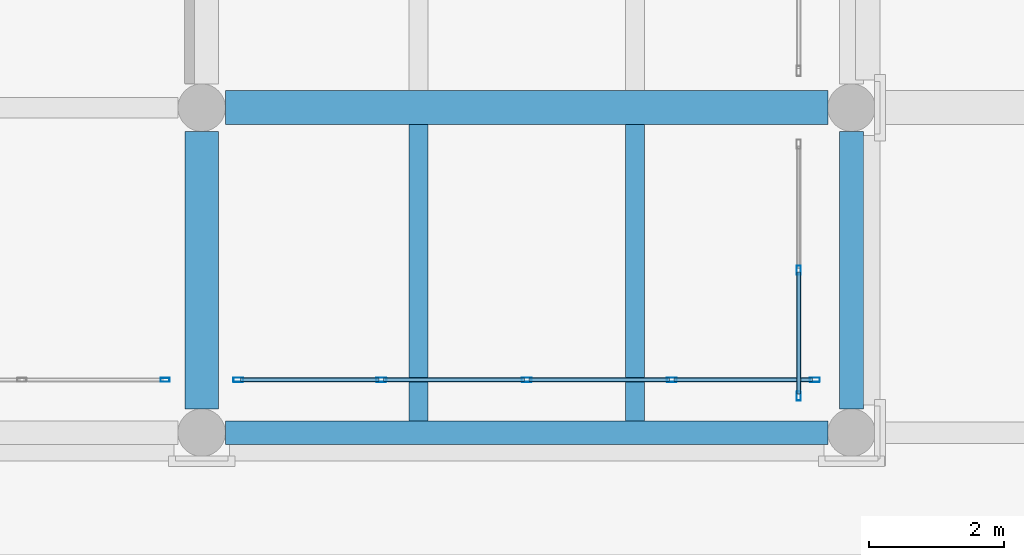
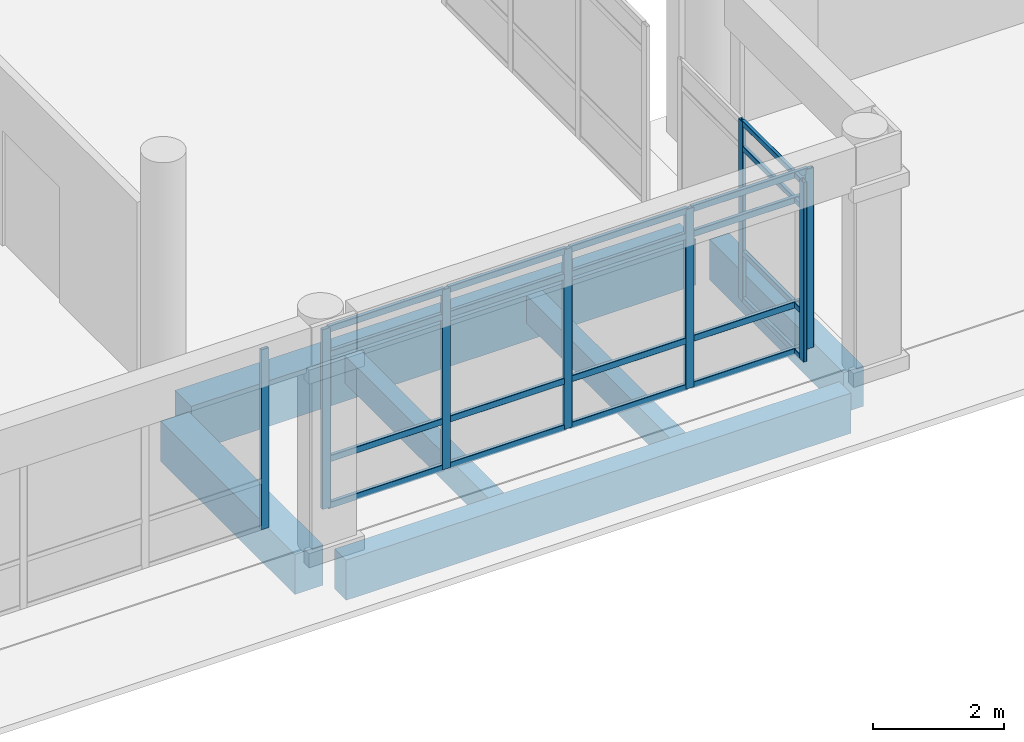
# One storey, part 36 of 196: 28 members, 6 beams, 3 elements without a shape of their own.
"""IFC4 building model written with IfcOpenShell, lengths in metres."""

from ifc_helpers import new_model, si_unit, direction, frame, origin, origin_2d, place, context, subcontext, project, spatial, rectangle, hollow_rectangle, extrude, material, layer, layer_set, material_profile, profile_set, type_object, element, aggregate, save


model = new_model("IFC4")

# Units and contexts
model_context = context("Model", 3, precision=1e-05, world=origin(), true_north=direction((0.0, 1.0)))
body_context = subcontext(model_context, "Body", "Model", "MODEL_VIEW")
ifc_project = project(units=[si_unit("LENGTHUNIT", "METRE"), si_unit("AREAUNIT", "SQUARE_METRE"), si_unit("VOLUMEUNIT", "CUBIC_METRE"), si_unit("PLANEANGLEUNIT", "RADIAN"), si_unit("MASSUNIT", "GRAM", prefix="KILO")], contexts=[model_context])

# Site, building, storey
site_placement = place(None, origin())
site = spatial("IfcSite", under=ifc_project, at=site_placement, CompositionType="ELEMENT")
building_placement = place(site_placement, origin())
building = spatial("IfcBuilding", under=site, at=building_placement, Name="Asteropetra Specialist Clinic", CompositionType="ELEMENT")
storey_placement = place(building_placement, origin())
storey = spatial("IfcBuildingStorey", under=building, at=storey_placement, Name="L00", CompositionType="ELEMENT", Elevation=0.0)

# Beams
ifc_material_1 = material(Name="Concrete C35/45", Category="concrete")
ifc_material_profile_1 = material_profile(ifc_material_1, rectangle(XDim=0.5, YDim=0.75, at=origin_2d()), Name="RCB 500x750")
ifc_profile_set_1 = profile_set([ifc_material_profile_1], Name="Concrete C35/45")
beam_type_1 = type_object("IfcBeamType", Name="BM-RC500x750", PredefinedType="BEAM", material=ifc_profile_set_1)
beam_1_placement = place(storey_placement, frame((48.0, 0.35009765625, -0.715087890625), z_axis=(0.0, 1.0, 0.0), x_axis=(-1.0, 0.0, 0.0)))
element("IfcBeam", 1, at=beam_1_placement, inside=storey, type_object=beam_type_1, Name="Beam BBM04-0036", PredefinedType="BEAM", context=body_context, shape_type="SweptSolid", body=[
    extrude(rectangle(XDim=0.5, YDim=0.75, at=origin_2d()), origin(), (0.0, 0.0, 1.0), 4.099853515625),
])
ifc_material_2 = material(Name="Concrete C35/45", Category="concrete")
ifc_material_profile_2 = material_profile(ifc_material_2, rectangle(XDim=0.5, YDim=0.85009765625, at=origin_2d()), Name="RCB 500x850")
ifc_profile_set_2 = profile_set([ifc_material_profile_2], Name="Concrete C35/45")
beam_type_2 = type_object("IfcBeamType", Name="BM-RC500x850", PredefinedType="BEAM", material=ifc_profile_set_2)
beam_2_placement = place(storey_placement, frame((48.35009765625, 4.800048828125, -0.764892578125), z_axis=(1.0, 0.0, 0.0), x_axis=(0.0, 1.0, 0.0)))
element("IfcBeam", 2, at=beam_2_placement, inside=storey, type_object=beam_type_2, Name="Beam BBM03-0012", PredefinedType="BEAM", context=body_context, shape_type="SweptSolid", body=[
    extrude(rectangle(XDim=0.5, YDim=0.85009765625, at=origin_2d()), origin(), (0.0, 0.0, 1.0), 8.89990234375),
])

# Curtain wall, member
ifc_material_3 = material(Name="Aluminium and low-E glass", Category="aluminium")
ifc_layer_1 = layer(ifc_material_3, 0.14990234375)
ifc_layer_set_1 = layer_set([ifc_layer_1], Name="Aluminium and low-E glass")
curtain_wall_type_1 = type_object("IfcCurtainWallType", Name="CW-SYS-11", PredefinedType="USERDEFINED", material=ifc_layer_set_1)
curtain_wall_1_placement = place(storey_placement, origin())
curtain_wall_1 = element("IfcCurtainWall", 3, at=curtain_wall_1_placement, inside=storey, type_object=curtain_wall_type_1, Name="Curtain Wall CW-125", ObjectType="STICK GLAZED COLONNADE", PredefinedType="USERDEFINED")
ifc_material_4 = material(Name="Aluminium 6063-T6", Category="aluminium")
ifc_material_profile_3 = material_profile(ifc_material_4, hollow_rectangle(XDim=0.06005859375, YDim=0.135009765625, WallThickness=0.00341796875, InnerFilletRadius=0.00341796875, OuterFilletRadius=0.007080078125, at=origin_2d()), Name="MUL 135x60x3.5")
ifc_profile_set_3 = profile_set([ifc_material_profile_3], Name="Aluminium 6063-T6")
member_type_1 = type_object("IfcMemberType", Name="CWM-135x60", PredefinedType="MULLION", material=ifc_profile_set_3)
member_1_placement = place(storey_placement, frame((47.4599609375, 0.780029296875, 0.0), z_axis=(0.0, 0.0, 1.0), x_axis=(0.0, 1.0, 0.0)))
member_1 = element("IfcMember", 4, at=member_1_placement, type_object=member_type_1, Name="CW-125 mullion 5", PredefinedType="MULLION", context=body_context, shape_type="SweptSolid", body=[
    extrude(hollow_rectangle(XDim=0.06005859375, YDim=0.135009765625, WallThickness=0.00341796875, InnerFilletRadius=0.00341796875, OuterFilletRadius=0.007080078125, at=origin_2d()), origin(), (0.0, 0.0, 1.0), 3.35009765625),
])
aggregate(curtain_wall_1, [member_1])

# Curtain wall, members
ifc_material_5 = material(Name="Aluminium and low-E glass", Category="aluminium")
ifc_layer_2 = layer(ifc_material_5, 0.179931640625)
ifc_layer_set_2 = layer_set([ifc_layer_2], Name="Aluminium and low-E glass")
curtain_wall_type_2 = type_object("IfcCurtainWallType", Name="CW-SYS-10", PredefinedType="USERDEFINED", material=ifc_layer_set_2)
curtain_wall_2_placement = place(storey_placement, origin())
curtain_wall_2 = element("IfcCurtainWall", 5, at=curtain_wall_2_placement, inside=storey, type_object=curtain_wall_type_2, Name="Curtain Wall CW-128", ObjectType="STICK GLAZED COLONNADE", PredefinedType="USERDEFINED")
member_2_placement = place(storey_placement, frame((56.820068359375, 0.5400390625, 0.0), z_axis=(0.0, 0.0, 1.0), x_axis=(-1.0, 0.0, 0.0)))
member_2 = element("IfcMember", 6, at=member_2_placement, type_object=member_type_1, Name="CW-128 mullion 1", PredefinedType="MULLION", context=body_context, shape_type="SweptSolid", body=[
    extrude(hollow_rectangle(XDim=0.06005859375, YDim=0.135009765625, WallThickness=0.00341796875, InnerFilletRadius=0.00341796875, OuterFilletRadius=0.007080078125, at=origin_2d()), origin(), (0.0, 0.0, 1.0), 3.35009765625),
])
member_3_placement = place(storey_placement, frame((56.820068359375, 2.39990234375, 0.0), z_axis=(0.0, 0.0, 1.0), x_axis=(-1.0, 0.0, 0.0)))
member_3 = element("IfcMember", 7, at=member_3_placement, type_object=member_type_1, Name="CW-128 mullion 2", PredefinedType="MULLION", context=body_context, shape_type="SweptSolid", body=[
    extrude(hollow_rectangle(XDim=0.06005859375, YDim=0.135009765625, WallThickness=0.00341796875, InnerFilletRadius=0.00341796875, OuterFilletRadius=0.007080078125, at=origin_2d()), origin(), (0.0, 0.0, 1.0), 3.35009765625),
])

ifc_material_6 = material(Name="Aluminium and low-E glass", Category="aluminium")
ifc_layer_3 = layer(ifc_material_6, 0.135009765625)
ifc_layer_set_3 = layer_set([ifc_layer_3], Name="Aluminium and low-E glass")
curtain_wall_type_3 = type_object("IfcCurtainWallType", Name="CW-SYS-09", PredefinedType="USERDEFINED", material=ifc_layer_set_3)
curtain_wall_3_placement = place(storey_placement, origin())
curtain_wall_3 = element("IfcCurtainWall", 8, at=curtain_wall_3_placement, inside=storey, type_object=curtain_wall_type_3, Name="Curtain Wall CW-127", ObjectType="STICK GLAZED COLONNADE", PredefinedType="USERDEFINED")
ifc_material_7 = material(Name="Aluminium 6063-T6", Category="aluminium")
ifc_material_profile_4 = material_profile(ifc_material_7, hollow_rectangle(XDim=0.06494140625, YDim=0.14990234375, WallThickness=0.00390625, InnerFilletRadius=0.00390625, OuterFilletRadius=0.008056640625, at=origin_2d()), Name="MUL 150x65x4.0")
ifc_profile_set_4 = profile_set([ifc_material_profile_4], Name="Aluminium 6063-T6")
member_type_2 = type_object("IfcMemberType", Name="CWM-150x65", PredefinedType="MULLION", material=ifc_profile_set_4)
member_4_placement = place(storey_placement, frame((48.54248046875, 0.780029296875, 0.0), z_axis=(0.0, 0.0, 1.0), x_axis=(0.0, 1.0, 0.0)))
member_4 = element("IfcMember", 9, at=member_4_placement, type_object=member_type_2, Name="CW-127 mullion 1", PredefinedType="MULLION", context=body_context, shape_type="SweptSolid", body=[
    extrude(hollow_rectangle(XDim=0.06494140625, YDim=0.14990234375, WallThickness=0.00390625, InnerFilletRadius=0.00390625, OuterFilletRadius=0.008056640625, at=origin_2d()), origin(), (0.0, 0.0, 1.0), 3.35009765625),
])
member_5_placement = place(storey_placement, frame((50.655029296875, 0.780029296875, 0.0), z_axis=(0.0, 0.0, 1.0), x_axis=(0.0, 1.0, 0.0)))
member_5 = element("IfcMember", 10, at=member_5_placement, type_object=member_type_2, Name="CW-127 mullion 2", PredefinedType="MULLION", context=body_context, shape_type="SweptSolid", body=[
    extrude(hollow_rectangle(XDim=0.06494140625, YDim=0.14990234375, WallThickness=0.00390625, InnerFilletRadius=0.00390625, OuterFilletRadius=0.008056640625, at=origin_2d()), origin(), (0.0, 0.0, 1.0), 3.35009765625),
])
member_6_placement = place(storey_placement, frame((52.800048828125, 0.780029296875, 0.0), z_axis=(0.0, 0.0, 1.0), x_axis=(0.0, 1.0, 0.0)))
member_6 = element("IfcMember", 11, at=member_6_placement, type_object=member_type_2, Name="CW-127 mullion 3", PredefinedType="MULLION", context=body_context, shape_type="SweptSolid", body=[
    extrude(hollow_rectangle(XDim=0.06494140625, YDim=0.14990234375, WallThickness=0.00390625, InnerFilletRadius=0.00390625, OuterFilletRadius=0.008056640625, at=origin_2d()), origin(), (0.0, 0.0, 1.0), 3.35009765625),
])
member_7_placement = place(storey_placement, frame((54.945068359375, 0.780029296875, 0.0), z_axis=(0.0, 0.0, 1.0), x_axis=(0.0, 1.0, 0.0)))
member_7 = element("IfcMember", 12, at=member_7_placement, type_object=member_type_2, Name="CW-127 mullion 4", PredefinedType="MULLION", context=body_context, shape_type="SweptSolid", body=[
    extrude(hollow_rectangle(XDim=0.06494140625, YDim=0.14990234375, WallThickness=0.00390625, InnerFilletRadius=0.00390625, OuterFilletRadius=0.008056640625, at=origin_2d()), origin(), (0.0, 0.0, 1.0), 3.35009765625),
])
member_8_placement = place(storey_placement, frame((57.0576171875, 0.780029296875, 0.0), z_axis=(0.0, 0.0, 1.0), x_axis=(0.0, 1.0, 0.0)))
member_8 = element("IfcMember", 13, at=member_8_placement, type_object=member_type_2, Name="CW-127 mullion 5", PredefinedType="MULLION", context=body_context, shape_type="SweptSolid", body=[
    extrude(hollow_rectangle(XDim=0.06494140625, YDim=0.14990234375, WallThickness=0.00390625, InnerFilletRadius=0.00390625, OuterFilletRadius=0.008056640625, at=origin_2d()), origin(), (0.0, 0.0, 1.0), 3.35009765625),
])

# Member
ifc_material_8 = material(Name="Aluminium 6063-T6", Category="aluminium")
ifc_material_profile_5 = material_profile(ifc_material_8, hollow_rectangle(XDim=0.06005859375, YDim=0.10009765625, WallThickness=0.00341796875, InnerFilletRadius=0.00341796875, OuterFilletRadius=0.007080078125, at=origin_2d()), Name="TRN 100x60x3.5")
ifc_profile_set_5 = profile_set([ifc_material_profile_5], Name="Aluminium 6063-T6")
member_type_3 = type_object("IfcMemberType", Name="CWT-100x60", PredefinedType="USERDEFINED", material=ifc_profile_set_5)
member_9_placement = place(storey_placement, frame((56.820068359375, 0.570068359375, 0.030029296875), z_axis=(0.0, 1.0, 0.0), x_axis=(-1.0, 0.0, 0.0)))
member_9 = element("IfcMember", 14, at=member_9_placement, type_object=member_type_3, Name="CW-128 transom 1.1", ObjectType="TRANSOM", PredefinedType="USERDEFINED", context=body_context, shape_type="SweptSolid", body=[
    extrude(hollow_rectangle(XDim=0.06005859375, YDim=0.10009765625, WallThickness=0.00341796875, InnerFilletRadius=0.00341796875, OuterFilletRadius=0.007080078125, at=origin_2d()), origin(), (0.0, 0.0, 1.0), 1.800048828125),
])

member_10_placement = place(storey_placement, frame((56.820068359375, 0.570068359375, 0.89990234375), z_axis=(0.0, 1.0, 0.0), x_axis=(-1.0, 0.0, 0.0)))
member_10 = element("IfcMember", 15, at=member_10_placement, type_object=member_type_3, Name="CW-128 transom 1.2", ObjectType="TRANSOM", PredefinedType="USERDEFINED", context=body_context, shape_type="SweptSolid", body=[
    extrude(hollow_rectangle(XDim=0.06005859375, YDim=0.10009765625, WallThickness=0.00341796875, InnerFilletRadius=0.00341796875, OuterFilletRadius=0.007080078125, at=origin_2d()), origin(), (0.0, 0.0, 1.0), 1.800048828125),
])

member_11_placement = place(storey_placement, frame((56.820068359375, 0.570068359375, 2.85009765625), z_axis=(0.0, 1.0, 0.0), x_axis=(-1.0, 0.0, 0.0)))
member_11 = element("IfcMember", 16, at=member_11_placement, type_object=member_type_3, Name="CW-128 transom 1.3", ObjectType="TRANSOM", PredefinedType="USERDEFINED", context=body_context, shape_type="SweptSolid", body=[
    extrude(hollow_rectangle(XDim=0.06005859375, YDim=0.10009765625, WallThickness=0.00341796875, InnerFilletRadius=0.00341796875, OuterFilletRadius=0.007080078125, at=origin_2d()), origin(), (0.0, 0.0, 1.0), 1.800048828125),
])

member_12_placement = place(storey_placement, frame((56.820068359375, 0.570068359375, 3.320068359375), z_axis=(0.0, 1.0, 0.0), x_axis=(-1.0, 0.0, 0.0)))
member_12 = element("IfcMember", 17, at=member_12_placement, type_object=member_type_3, Name="CW-128 transom 1.4", ObjectType="TRANSOM", PredefinedType="USERDEFINED", context=body_context, shape_type="SweptSolid", body=[
    extrude(hollow_rectangle(XDim=0.06005859375, YDim=0.10009765625, WallThickness=0.00341796875, InnerFilletRadius=0.00341796875, OuterFilletRadius=0.007080078125, at=origin_2d()), origin(), (0.0, 0.0, 1.0), 1.800048828125),
])

aggregate(curtain_wall_2, [member_2, member_3, member_9, member_10, member_11, member_12])

ifc_material_9 = material(Name="Aluminium 6063-T6", Category="aluminium")
ifc_material_profile_6 = material_profile(ifc_material_9, hollow_rectangle(XDim=0.06494140625, YDim=0.1201171875, WallThickness=0.00390625, InnerFilletRadius=0.00390625, OuterFilletRadius=0.008056640625, at=origin_2d()), Name="TRN 120x65x4.0")
ifc_profile_set_6 = profile_set([ifc_material_profile_6], Name="Aluminium 6063-T6")
member_type_4 = type_object("IfcMemberType", Name="CWT-120x65", PredefinedType="USERDEFINED", material=ifc_profile_set_6)
member_13_placement = place(storey_placement, frame((48.574951171875, 0.780029296875, 0.032470703125), z_axis=(1.0, 0.0, 0.0), x_axis=(0.0, 1.0, 0.0)))
member_13 = element("IfcMember", 18, at=member_13_placement, type_object=member_type_4, Name="CW-127 transom 1.1", ObjectType="TRANSOM", PredefinedType="USERDEFINED", context=body_context, shape_type="SweptSolid", body=[
    extrude(hollow_rectangle(XDim=0.06494140625, YDim=0.1201171875, WallThickness=0.00390625, InnerFilletRadius=0.00390625, OuterFilletRadius=0.008056640625, at=origin_2d()), origin(), (0.0, 0.0, 1.0), 2.047607421875),
])

member_14_placement = place(storey_placement, frame((48.574951171875, 0.780029296875, 0.89990234375), z_axis=(1.0, 0.0, 0.0), x_axis=(0.0, 1.0, 0.0)))
member_14 = element("IfcMember", 19, at=member_14_placement, type_object=member_type_4, Name="CW-127 transom 1.2", ObjectType="TRANSOM", PredefinedType="USERDEFINED", context=body_context, shape_type="SweptSolid", body=[
    extrude(hollow_rectangle(XDim=0.06494140625, YDim=0.1201171875, WallThickness=0.00390625, InnerFilletRadius=0.00390625, OuterFilletRadius=0.008056640625, at=origin_2d()), origin(), (0.0, 0.0, 1.0), 2.047607421875),
])

member_15_placement = place(storey_placement, frame((48.574951171875, 0.780029296875, 2.85009765625), z_axis=(1.0, 0.0, 0.0), x_axis=(0.0, 1.0, 0.0)))
member_15 = element("IfcMember", 20, at=member_15_placement, type_object=member_type_4, Name="CW-127 transom 1.3", ObjectType="TRANSOM", PredefinedType="USERDEFINED", context=body_context, shape_type="SweptSolid", body=[
    extrude(hollow_rectangle(XDim=0.06494140625, YDim=0.1201171875, WallThickness=0.00390625, InnerFilletRadius=0.00390625, OuterFilletRadius=0.008056640625, at=origin_2d()), origin(), (0.0, 0.0, 1.0), 2.047607421875),
])

member_16_placement = place(storey_placement, frame((48.574951171875, 0.780029296875, 3.3173828125), z_axis=(1.0, 0.0, 0.0), x_axis=(0.0, 1.0, 0.0)))
member_16 = element("IfcMember", 21, at=member_16_placement, type_object=member_type_4, Name="CW-127 transom 1.4", ObjectType="TRANSOM", PredefinedType="USERDEFINED", context=body_context, shape_type="SweptSolid", body=[
    extrude(hollow_rectangle(XDim=0.06494140625, YDim=0.1201171875, WallThickness=0.00390625, InnerFilletRadius=0.00390625, OuterFilletRadius=0.008056640625, at=origin_2d()), origin(), (0.0, 0.0, 1.0), 2.047607421875),
])

member_17_placement = place(storey_placement, frame((50.6875, 0.780029296875, 0.032470703125), z_axis=(1.0, 0.0, 0.0), x_axis=(0.0, 1.0, 0.0)))
member_17 = element("IfcMember", 22, at=member_17_placement, type_object=member_type_4, Name="CW-127 transom 2.1", ObjectType="TRANSOM", PredefinedType="USERDEFINED", context=body_context, shape_type="SweptSolid", body=[
    extrude(hollow_rectangle(XDim=0.06494140625, YDim=0.1201171875, WallThickness=0.00390625, InnerFilletRadius=0.00390625, OuterFilletRadius=0.008056640625, at=origin_2d()), origin(), (0.0, 0.0, 1.0), 2.080078125),
])

member_18_placement = place(storey_placement, frame((50.6875, 0.780029296875, 0.89990234375), z_axis=(1.0, 0.0, 0.0), x_axis=(0.0, 1.0, 0.0)))
member_18 = element("IfcMember", 23, at=member_18_placement, type_object=member_type_4, Name="CW-127 transom 2.2", ObjectType="TRANSOM", PredefinedType="USERDEFINED", context=body_context, shape_type="SweptSolid", body=[
    extrude(hollow_rectangle(XDim=0.06494140625, YDim=0.1201171875, WallThickness=0.00390625, InnerFilletRadius=0.00390625, OuterFilletRadius=0.008056640625, at=origin_2d()), origin(), (0.0, 0.0, 1.0), 2.080078125),
])

member_19_placement = place(storey_placement, frame((50.6875, 0.780029296875, 2.85009765625), z_axis=(1.0, 0.0, 0.0), x_axis=(0.0, 1.0, 0.0)))
member_19 = element("IfcMember", 24, at=member_19_placement, type_object=member_type_4, Name="CW-127 transom 2.3", ObjectType="TRANSOM", PredefinedType="USERDEFINED", context=body_context, shape_type="SweptSolid", body=[
    extrude(hollow_rectangle(XDim=0.06494140625, YDim=0.1201171875, WallThickness=0.00390625, InnerFilletRadius=0.00390625, OuterFilletRadius=0.008056640625, at=origin_2d()), origin(), (0.0, 0.0, 1.0), 2.080078125),
])

member_20_placement = place(storey_placement, frame((50.6875, 0.780029296875, 3.3173828125), z_axis=(1.0, 0.0, 0.0), x_axis=(0.0, 1.0, 0.0)))
member_20 = element("IfcMember", 25, at=member_20_placement, type_object=member_type_4, Name="CW-127 transom 2.4", ObjectType="TRANSOM", PredefinedType="USERDEFINED", context=body_context, shape_type="SweptSolid", body=[
    extrude(hollow_rectangle(XDim=0.06494140625, YDim=0.1201171875, WallThickness=0.00390625, InnerFilletRadius=0.00390625, OuterFilletRadius=0.008056640625, at=origin_2d()), origin(), (0.0, 0.0, 1.0), 2.080078125),
])

member_21_placement = place(storey_placement, frame((52.83251953125, 0.780029296875, 0.032470703125), z_axis=(1.0, 0.0, 0.0), x_axis=(0.0, 1.0, 0.0)))
member_21 = element("IfcMember", 26, at=member_21_placement, type_object=member_type_4, Name="CW-127 transom 3.1", ObjectType="TRANSOM", PredefinedType="USERDEFINED", context=body_context, shape_type="SweptSolid", body=[
    extrude(hollow_rectangle(XDim=0.06494140625, YDim=0.1201171875, WallThickness=0.00390625, InnerFilletRadius=0.00390625, OuterFilletRadius=0.008056640625, at=origin_2d()), origin(), (0.0, 0.0, 1.0), 2.080078125),
])

member_22_placement = place(storey_placement, frame((52.83251953125, 0.780029296875, 0.89990234375), z_axis=(1.0, 0.0, 0.0), x_axis=(0.0, 1.0, 0.0)))
member_22 = element("IfcMember", 27, at=member_22_placement, type_object=member_type_4, Name="CW-127 transom 3.2", ObjectType="TRANSOM", PredefinedType="USERDEFINED", context=body_context, shape_type="SweptSolid", body=[
    extrude(hollow_rectangle(XDim=0.06494140625, YDim=0.1201171875, WallThickness=0.00390625, InnerFilletRadius=0.00390625, OuterFilletRadius=0.008056640625, at=origin_2d()), origin(), (0.0, 0.0, 1.0), 2.080078125),
])

member_23_placement = place(storey_placement, frame((52.83251953125, 0.780029296875, 2.85009765625), z_axis=(1.0, 0.0, 0.0), x_axis=(0.0, 1.0, 0.0)))
member_23 = element("IfcMember", 28, at=member_23_placement, type_object=member_type_4, Name="CW-127 transom 3.3", ObjectType="TRANSOM", PredefinedType="USERDEFINED", context=body_context, shape_type="SweptSolid", body=[
    extrude(hollow_rectangle(XDim=0.06494140625, YDim=0.1201171875, WallThickness=0.00390625, InnerFilletRadius=0.00390625, OuterFilletRadius=0.008056640625, at=origin_2d()), origin(), (0.0, 0.0, 1.0), 2.080078125),
])

member_24_placement = place(storey_placement, frame((52.83251953125, 0.780029296875, 3.3173828125), z_axis=(1.0, 0.0, 0.0), x_axis=(0.0, 1.0, 0.0)))
member_24 = element("IfcMember", 29, at=member_24_placement, type_object=member_type_4, Name="CW-127 transom 3.4", ObjectType="TRANSOM", PredefinedType="USERDEFINED", context=body_context, shape_type="SweptSolid", body=[
    extrude(hollow_rectangle(XDim=0.06494140625, YDim=0.1201171875, WallThickness=0.00390625, InnerFilletRadius=0.00390625, OuterFilletRadius=0.008056640625, at=origin_2d()), origin(), (0.0, 0.0, 1.0), 2.080078125),
])

member_25_placement = place(storey_placement, frame((54.9775390625, 0.780029296875, 0.032470703125), z_axis=(1.0, 0.0, 0.0), x_axis=(0.0, 1.0, 0.0)))
member_25 = element("IfcMember", 30, at=member_25_placement, type_object=member_type_4, Name="CW-127 transom 4.1", ObjectType="TRANSOM", PredefinedType="USERDEFINED", context=body_context, shape_type="SweptSolid", body=[
    extrude(hollow_rectangle(XDim=0.06494140625, YDim=0.1201171875, WallThickness=0.00390625, InnerFilletRadius=0.00390625, OuterFilletRadius=0.008056640625, at=origin_2d()), origin(), (0.0, 0.0, 1.0), 2.04736328125),
])

member_26_placement = place(storey_placement, frame((54.9775390625, 0.780029296875, 0.89990234375), z_axis=(1.0, 0.0, 0.0), x_axis=(0.0, 1.0, 0.0)))
member_26 = element("IfcMember", 31, at=member_26_placement, type_object=member_type_4, Name="CW-127 transom 4.2", ObjectType="TRANSOM", PredefinedType="USERDEFINED", context=body_context, shape_type="SweptSolid", body=[
    extrude(hollow_rectangle(XDim=0.06494140625, YDim=0.1201171875, WallThickness=0.00390625, InnerFilletRadius=0.00390625, OuterFilletRadius=0.008056640625, at=origin_2d()), origin(), (0.0, 0.0, 1.0), 2.04736328125),
])

member_27_placement = place(storey_placement, frame((54.9775390625, 0.780029296875, 2.85009765625), z_axis=(1.0, 0.0, 0.0), x_axis=(0.0, 1.0, 0.0)))
member_27 = element("IfcMember", 32, at=member_27_placement, type_object=member_type_4, Name="CW-127 transom 4.3", ObjectType="TRANSOM", PredefinedType="USERDEFINED", context=body_context, shape_type="SweptSolid", body=[
    extrude(hollow_rectangle(XDim=0.06494140625, YDim=0.1201171875, WallThickness=0.00390625, InnerFilletRadius=0.00390625, OuterFilletRadius=0.008056640625, at=origin_2d()), origin(), (0.0, 0.0, 1.0), 2.04736328125),
])

member_28_placement = place(storey_placement, frame((54.9775390625, 0.780029296875, 3.3173828125), z_axis=(1.0, 0.0, 0.0), x_axis=(0.0, 1.0, 0.0)))
member_28 = element("IfcMember", 33, at=member_28_placement, type_object=member_type_4, Name="CW-127 transom 4.4", ObjectType="TRANSOM", PredefinedType="USERDEFINED", context=body_context, shape_type="SweptSolid", body=[
    extrude(hollow_rectangle(XDim=0.06494140625, YDim=0.1201171875, WallThickness=0.00390625, InnerFilletRadius=0.00390625, OuterFilletRadius=0.008056640625, at=origin_2d()), origin(), (0.0, 0.0, 1.0), 2.04736328125),
])

aggregate(curtain_wall_3, [member_4, member_5, member_6, member_7, member_8, member_13, member_14, member_15, member_16, member_17, member_18, member_19, member_20, member_21, member_22, member_23, member_24, member_25, member_26, member_27, member_28])

# Beams
ifc_material_10 = material(Name="Concrete C35/45", Category="concrete")
ifc_material_profile_7 = material_profile(ifc_material_10, rectangle(XDim=0.280029296875, YDim=0.52001953125, at=origin_2d()), Name="RCJ 280x520")
ifc_profile_set_7 = profile_set([ifc_material_profile_7], Name="Concrete C35/45")
beam_type_3 = type_object("IfcBeamType", Name="JST-RC280x520", PredefinedType="JOIST", material=ifc_profile_set_7)
for number, where, z_axis, x_axis, name in (
    (34, (51.199951171875, 0.175048828125, -0.60009765625), (0.0, 1.0, 0.0), (-1.0, 0.0, 0.0), "Joist JJST01-0048"),
    (35, (54.39990234375, 0.175048828125, -0.60009765625), (0.0, 1.0, 0.0), (-1.0, 0.0, 0.0), "Joist JJST01-0049"),
):
    element("IfcBeam", number, at=place(storey_placement, frame(where, z_axis=z_axis, x_axis=x_axis)), inside=storey, type_object=beam_type_3, Name=name, PredefinedType="JOIST", context=body_context, shape_type="SweptSolid", body=[
        extrude(rectangle(XDim=0.280029296875, YDim=0.52001953125, at=origin_2d()), origin(), (0.0, 0.0, 1.0), 4.375),
    ])
ifc_material_11 = material(Name="Concrete C35/45", Category="concrete")
ifc_material_profile_8 = material_profile(ifc_material_11, rectangle(XDim=0.35009765625, YDim=0.75, at=origin_2d()), Name="RCS 350x750")
ifc_profile_set_8 = profile_set([ifc_material_profile_8], Name="Concrete C35/45")
beam_type_4 = type_object("IfcBeamType", Name="SPN-RC350x750", PredefinedType="SPANDREL", material=ifc_profile_set_8)
beam_3_placement = place(storey_placement, frame((48.35009765625, 0.0, -0.715087890625), z_axis=(1.0, 0.0, 0.0), x_axis=(0.0, 1.0, 0.0)))
element("IfcBeam", 36, at=beam_3_placement, inside=storey, type_object=beam_type_4, Name="Beam BSPN01-0006", PredefinedType="SPANDREL", context=body_context, shape_type="SweptSolid", body=[
    extrude(rectangle(XDim=0.35009765625, YDim=0.75, at=origin_2d()), origin(), (0.0, 0.0, 1.0), 8.89990234375),
])
beam_4_placement = place(storey_placement, frame((57.60009765625, 0.35009765625, -0.715087890625), z_axis=(0.0, 1.0, 0.0), x_axis=(-1.0, 0.0, 0.0)))
element("IfcBeam", 37, at=beam_4_placement, inside=storey, type_object=beam_type_4, Name="Beam BSPN01-0037", PredefinedType="SPANDREL", context=body_context, shape_type="SweptSolid", body=[
    extrude(rectangle(XDim=0.35009765625, YDim=0.75, at=origin_2d()), origin(), (0.0, 0.0, 1.0), 4.099853515625),
])

save(model, "model.ifc")
